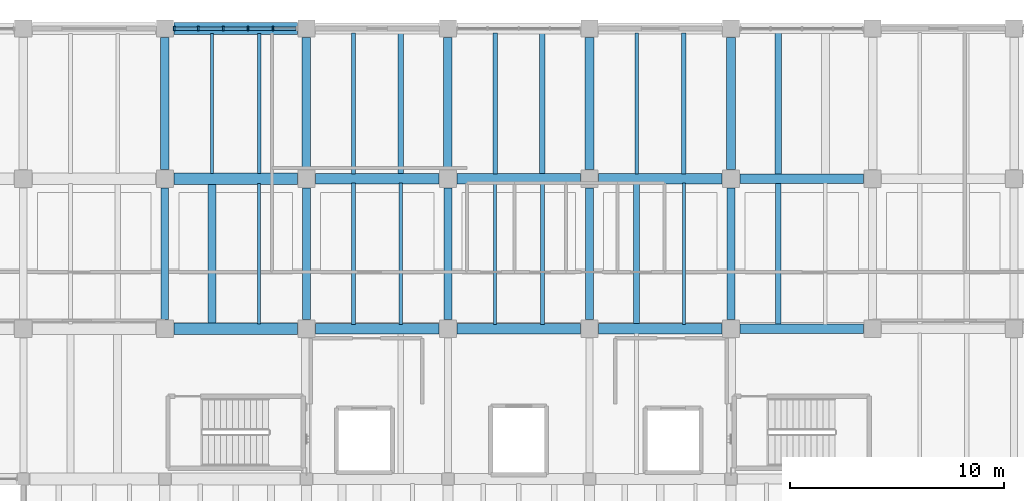
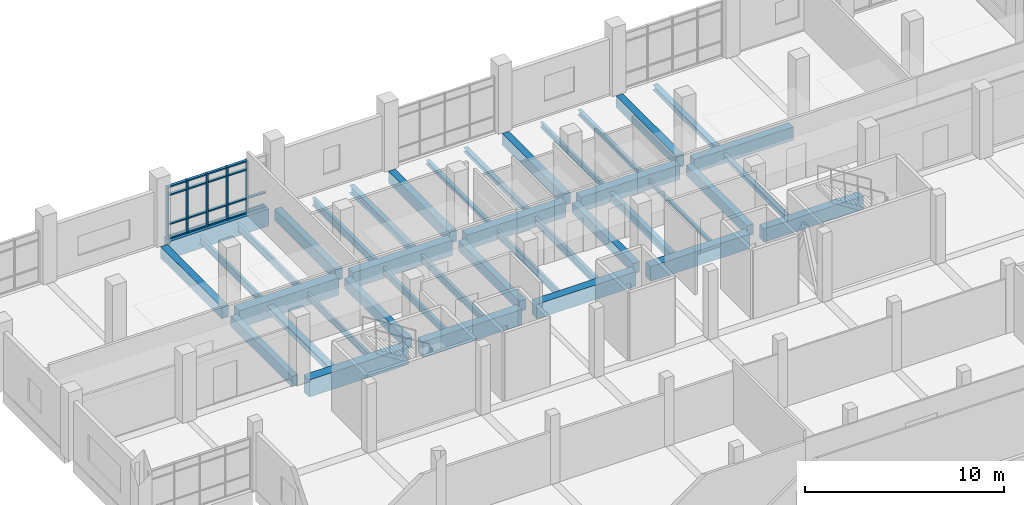
# One storey, part 32 of 67: 39 beams, 23 members, 1 element without a shape of its own.
"""IFC4 building model written with IfcOpenShell, lengths in metres."""

from ifc_helpers import new_model, si_unit, direction, frame, origin, origin_2d, place, context, subcontext, project, spatial, rectangle, i_section, extrude, material, material_profile, profile_set, type_object, element, aggregate, save


model = new_model("IFC4")

# Units and contexts
model_context = context("Model", 3, precision=1e-05, world=origin(), true_north=direction((0.0, 1.0)))
body_context = subcontext(model_context, "Body", "Model", "MODEL_VIEW")
ifc_project = project(units=[si_unit("LENGTHUNIT", "METRE"), si_unit("AREAUNIT", "SQUARE_METRE"), si_unit("VOLUMEUNIT", "CUBIC_METRE"), si_unit("PLANEANGLEUNIT", "RADIAN"), si_unit("MASSUNIT", "GRAM", prefix="KILO")], contexts=[model_context])

# Site, building, storey
site_placement = place(None, origin())
site = spatial("IfcSite", under=ifc_project, at=site_placement, CompositionType="ELEMENT")
building_placement = place(site_placement, origin())
building = spatial("IfcBuilding", under=site, at=building_placement, Name="Ciguamira Faculty of Natural Sciences", CompositionType="ELEMENT")
storey_placement = place(building_placement, frame((0.0, 0.0, 8.39990234375)))
storey = spatial("IfcBuildingStorey", under=building, at=storey_placement, Name="L02", CompositionType="ELEMENT", Elevation=8.39990234375)

# Curtain wall, members
ifc_material_1 = material(Name="Anodized aluminium curtain wall", Category="aluminium")
curtain_wall_type = type_object("IfcCurtainWallType", Name="CurtainWall_CW-12", PredefinedType="USERDEFINED", material=ifc_material_1)
curtain_wall_placement = place(storey_placement, origin())
curtain_wall = element("IfcCurtainWall", 1, at=curtain_wall_placement, inside=storey, type_object=curtain_wall_type, Name="L02 unitised curtain wall 0072", ObjectType="UNITISED CURTAIN WALL", PredefinedType="USERDEFINED")
ifc_material_2 = material(Name="Anodized aluminium mullion", Category="aluminium")
ifc_material_profile_1 = material_profile(ifc_material_2, rectangle(XDim=0.080078125, YDim=0.219970703125, at=origin_2d()), Name="ALU-MUL-80X220")
ifc_profile_set_1 = profile_set([ifc_material_profile_1], Name="Anodized aluminium mullion")
member_type_1 = type_object("IfcMemberType", Name="CWMullion_CWM-03", PredefinedType="MULLION", material=ifc_profile_set_1)
member_1_placement = place(storey_placement, frame((70.93994140625, 115.0, 0.0), z_axis=(0.0, 0.0, 1.0), x_axis=(1.0, 0.0, 0.0)))
member_1 = element("IfcMember", 2, at=member_1_placement, type_object=member_type_1, Name="CW-12 mullion 1", PredefinedType="MULLION", context=body_context, shape_type="SweptSolid", body=[
    extrude(rectangle(XDim=0.080078125, YDim=0.219970703125, at=origin_2d()), origin(), (0.0, 0.0, 1.0), 3.235107421875),
])
member_2_placement = place(storey_placement, frame((72.06005859375, 115.0, 0.0), z_axis=(0.0, 0.0, 1.0), x_axis=(1.0, 0.0, 0.0)))
member_2 = element("IfcMember", 3, at=member_2_placement, type_object=member_type_1, Name="CW-12 mullion 2", PredefinedType="MULLION", context=body_context, shape_type="SweptSolid", body=[
    extrude(rectangle(XDim=0.080078125, YDim=0.219970703125, at=origin_2d()), origin(), (0.0, 0.0, 1.0), 3.235107421875),
])
member_3_placement = place(storey_placement, frame((73.219970703125, 115.0, 0.0), z_axis=(0.0, 0.0, 1.0), x_axis=(1.0, 0.0, 0.0)))
member_3 = element("IfcMember", 4, at=member_3_placement, type_object=member_type_1, Name="CW-12 mullion 3", PredefinedType="MULLION", context=body_context, shape_type="SweptSolid", body=[
    extrude(rectangle(XDim=0.080078125, YDim=0.219970703125, at=origin_2d()), origin(), (0.0, 0.0, 1.0), 3.235107421875),
])
member_4_placement = place(storey_placement, frame((74.3798828125, 115.0, 0.0), z_axis=(0.0, 0.0, 1.0), x_axis=(1.0, 0.0, 0.0)))
member_4 = element("IfcMember", 5, at=member_4_placement, type_object=member_type_1, Name="CW-12 mullion 4", PredefinedType="MULLION", context=body_context, shape_type="SweptSolid", body=[
    extrude(rectangle(XDim=0.080078125, YDim=0.219970703125, at=origin_2d()), origin(), (0.0, 0.0, 1.0), 3.235107421875),
])
member_5_placement = place(storey_placement, frame((75.5400390625, 115.0, 0.0), z_axis=(0.0, 0.0, 1.0), x_axis=(1.0, 0.0, 0.0)))
member_5 = element("IfcMember", 6, at=member_5_placement, type_object=member_type_1, Name="CW-12 mullion 5", PredefinedType="MULLION", context=body_context, shape_type="SweptSolid", body=[
    extrude(rectangle(XDim=0.080078125, YDim=0.219970703125, at=origin_2d()), origin(), (0.0, 0.0, 1.0), 3.235107421875),
])
ifc_material_3 = material(Name="Anodized aluminium transom", Category="aluminium")
ifc_material_profile_2 = material_profile(ifc_material_3, rectangle(XDim=0.080078125, YDim=0.159912109375, at=origin_2d()), Name="ALU-TRN-80X160")
ifc_profile_set_2 = profile_set([ifc_material_profile_2], Name="Anodized aluminium transom")
member_type_2 = type_object("IfcMemberType", Name="CWTransom_CWT-03", PredefinedType="USERDEFINED", material=ifc_profile_set_2)
member_6_placement = place(storey_placement, frame((70.97998046875, 115.0, 0.0400390625), z_axis=(1.0, 0.0, 0.0), x_axis=(0.0, 0.0, 1.0)))
member_6 = element("IfcMember", 7, at=member_6_placement, type_object=member_type_2, Name="CW-12 transom 1.1", ObjectType="TRANSOM", PredefinedType="USERDEFINED", context=body_context, shape_type="SweptSolid", body=[
    extrude(rectangle(XDim=0.080078125, YDim=0.159912109375, at=origin_2d()), origin(), (0.0, 0.0, 1.0), 1.0400390625),
])
member_7_placement = place(storey_placement, frame((70.97998046875, 115.0, 0.900146484375), z_axis=(1.0, 0.0, 0.0), x_axis=(0.0, 0.0, 1.0)))
member_7 = element("IfcMember", 8, at=member_7_placement, type_object=member_type_2, Name="CW-12 transom 1.2", ObjectType="TRANSOM", PredefinedType="USERDEFINED", context=body_context, shape_type="SweptSolid", body=[
    extrude(rectangle(XDim=0.080078125, YDim=0.159912109375, at=origin_2d()), origin(), (0.0, 0.0, 1.0), 1.0400390625),
])
member_8_placement = place(storey_placement, frame((70.97998046875, 115.0, 2.68505859375), z_axis=(1.0, 0.0, 0.0), x_axis=(0.0, 0.0, 1.0)))
member_8 = element("IfcMember", 9, at=member_8_placement, type_object=member_type_2, Name="CW-12 transom 1.3", ObjectType="TRANSOM", PredefinedType="USERDEFINED", context=body_context, shape_type="SweptSolid", body=[
    extrude(rectangle(XDim=0.080078125, YDim=0.159912109375, at=origin_2d()), origin(), (0.0, 0.0, 1.0), 1.0400390625),
])
member_9_placement = place(storey_placement, frame((70.97998046875, 115.0, 3.195068359375), z_axis=(1.0, 0.0, 0.0), x_axis=(0.0, 0.0, 1.0)))
member_9 = element("IfcMember", 10, at=member_9_placement, type_object=member_type_2, Name="CW-12 transom 1.4", ObjectType="TRANSOM", PredefinedType="USERDEFINED", context=body_context, shape_type="SweptSolid", body=[
    extrude(rectangle(XDim=0.080078125, YDim=0.159912109375, at=origin_2d()), origin(), (0.0, 0.0, 1.0), 1.0400390625),
])
member_10_placement = place(storey_placement, frame((72.10009765625, 115.0, 0.0400390625), z_axis=(1.0, 0.0, 0.0), x_axis=(0.0, 0.0, 1.0)))
member_10 = element("IfcMember", 11, at=member_10_placement, type_object=member_type_2, Name="CW-12 transom 2.1", ObjectType="TRANSOM", PredefinedType="USERDEFINED", context=body_context, shape_type="SweptSolid", body=[
    extrude(rectangle(XDim=0.080078125, YDim=0.159912109375, at=origin_2d()), origin(), (0.0, 0.0, 1.0), 1.079833984375),
])
member_11_placement = place(storey_placement, frame((72.10009765625, 115.0, 0.900146484375), z_axis=(1.0, 0.0, 0.0), x_axis=(0.0, 0.0, 1.0)))
member_11 = element("IfcMember", 12, at=member_11_placement, type_object=member_type_2, Name="CW-12 transom 2.2", ObjectType="TRANSOM", PredefinedType="USERDEFINED", context=body_context, shape_type="SweptSolid", body=[
    extrude(rectangle(XDim=0.080078125, YDim=0.159912109375, at=origin_2d()), origin(), (0.0, 0.0, 1.0), 1.079833984375),
])
member_12_placement = place(storey_placement, frame((72.10009765625, 115.0, 2.68505859375), z_axis=(1.0, 0.0, 0.0), x_axis=(0.0, 0.0, 1.0)))
member_12 = element("IfcMember", 13, at=member_12_placement, type_object=member_type_2, Name="CW-12 transom 2.3", ObjectType="TRANSOM", PredefinedType="USERDEFINED", context=body_context, shape_type="SweptSolid", body=[
    extrude(rectangle(XDim=0.080078125, YDim=0.159912109375, at=origin_2d()), origin(), (0.0, 0.0, 1.0), 1.079833984375),
])
member_13_placement = place(storey_placement, frame((72.10009765625, 115.0, 3.195068359375), z_axis=(1.0, 0.0, 0.0), x_axis=(0.0, 0.0, 1.0)))
member_13 = element("IfcMember", 14, at=member_13_placement, type_object=member_type_2, Name="CW-12 transom 2.4", ObjectType="TRANSOM", PredefinedType="USERDEFINED", context=body_context, shape_type="SweptSolid", body=[
    extrude(rectangle(XDim=0.080078125, YDim=0.159912109375, at=origin_2d()), origin(), (0.0, 0.0, 1.0), 1.079833984375),
])
member_14_placement = place(storey_placement, frame((73.260009765625, 115.0, 0.0400390625), z_axis=(1.0, 0.0, 0.0), x_axis=(0.0, 0.0, 1.0)))
member_14 = element("IfcMember", 15, at=member_14_placement, type_object=member_type_2, Name="CW-12 transom 3.1", ObjectType="TRANSOM", PredefinedType="USERDEFINED", context=body_context, shape_type="SweptSolid", body=[
    extrude(rectangle(XDim=0.080078125, YDim=0.159912109375, at=origin_2d()), origin(), (0.0, 0.0, 1.0), 1.080078125),
])
member_15_placement = place(storey_placement, frame((73.260009765625, 115.0, 0.900146484375), z_axis=(1.0, 0.0, 0.0), x_axis=(0.0, 0.0, 1.0)))
member_15 = element("IfcMember", 16, at=member_15_placement, type_object=member_type_2, Name="CW-12 transom 3.2", ObjectType="TRANSOM", PredefinedType="USERDEFINED", context=body_context, shape_type="SweptSolid", body=[
    extrude(rectangle(XDim=0.080078125, YDim=0.159912109375, at=origin_2d()), origin(), (0.0, 0.0, 1.0), 1.080078125),
])
member_16_placement = place(storey_placement, frame((73.260009765625, 115.0, 2.68505859375), z_axis=(1.0, 0.0, 0.0), x_axis=(0.0, 0.0, 1.0)))
member_16 = element("IfcMember", 17, at=member_16_placement, type_object=member_type_2, Name="CW-12 transom 3.3", ObjectType="TRANSOM", PredefinedType="USERDEFINED", context=body_context, shape_type="SweptSolid", body=[
    extrude(rectangle(XDim=0.080078125, YDim=0.159912109375, at=origin_2d()), origin(), (0.0, 0.0, 1.0), 1.080078125),
])
member_17_placement = place(storey_placement, frame((73.260009765625, 115.0, 3.195068359375), z_axis=(1.0, 0.0, 0.0), x_axis=(0.0, 0.0, 1.0)))
member_17 = element("IfcMember", 18, at=member_17_placement, type_object=member_type_2, Name="CW-12 transom 3.4", ObjectType="TRANSOM", PredefinedType="USERDEFINED", context=body_context, shape_type="SweptSolid", body=[
    extrude(rectangle(XDim=0.080078125, YDim=0.159912109375, at=origin_2d()), origin(), (0.0, 0.0, 1.0), 1.080078125),
])
member_18_placement = place(storey_placement, frame((74.419921875, 115.0, 0.0400390625), z_axis=(1.0, 0.0, 0.0), x_axis=(0.0, 0.0, 1.0)))
member_18 = element("IfcMember", 19, at=member_18_placement, type_object=member_type_2, Name="CW-12 transom 4.1", ObjectType="TRANSOM", PredefinedType="USERDEFINED", context=body_context, shape_type="SweptSolid", body=[
    extrude(rectangle(XDim=0.080078125, YDim=0.159912109375, at=origin_2d()), origin(), (0.0, 0.0, 1.0), 1.080078125),
])
member_19_placement = place(storey_placement, frame((74.419921875, 115.0, 0.900146484375), z_axis=(1.0, 0.0, 0.0), x_axis=(0.0, 0.0, 1.0)))
member_19 = element("IfcMember", 20, at=member_19_placement, type_object=member_type_2, Name="CW-12 transom 4.2", ObjectType="TRANSOM", PredefinedType="USERDEFINED", context=body_context, shape_type="SweptSolid", body=[
    extrude(rectangle(XDim=0.080078125, YDim=0.159912109375, at=origin_2d()), origin(), (0.0, 0.0, 1.0), 1.080078125),
])
member_20_placement = place(storey_placement, frame((74.419921875, 115.0, 2.68505859375), z_axis=(1.0, 0.0, 0.0), x_axis=(0.0, 0.0, 1.0)))
member_20 = element("IfcMember", 21, at=member_20_placement, type_object=member_type_2, Name="CW-12 transom 4.3", ObjectType="TRANSOM", PredefinedType="USERDEFINED", context=body_context, shape_type="SweptSolid", body=[
    extrude(rectangle(XDim=0.080078125, YDim=0.159912109375, at=origin_2d()), origin(), (0.0, 0.0, 1.0), 1.080078125),
])
member_21_placement = place(storey_placement, frame((74.419921875, 115.0, 3.195068359375), z_axis=(1.0, 0.0, 0.0), x_axis=(0.0, 0.0, 1.0)))
member_21 = element("IfcMember", 22, at=member_21_placement, type_object=member_type_2, Name="CW-12 transom 4.4", ObjectType="TRANSOM", PredefinedType="USERDEFINED", context=body_context, shape_type="SweptSolid", body=[
    extrude(rectangle(XDim=0.080078125, YDim=0.159912109375, at=origin_2d()), origin(), (0.0, 0.0, 1.0), 1.080078125),
])
member_22_placement = place(storey_placement, frame((75.580078125, 115.0, 0.0400390625), z_axis=(1.0, 0.0, 0.0), x_axis=(0.0, 0.0, 1.0)))
member_22 = element("IfcMember", 23, at=member_22_placement, type_object=member_type_2, Name="CW-12 transom 5.1", ObjectType="TRANSOM", PredefinedType="USERDEFINED", context=body_context, shape_type="SweptSolid", body=[
    extrude(rectangle(XDim=0.080078125, YDim=0.159912109375, at=origin_2d()), origin(), (0.0, 0.0, 1.0), 1.0400390625),
])
member_23_placement = place(storey_placement, frame((75.580078125, 115.0, 0.900146484375), z_axis=(1.0, 0.0, 0.0), x_axis=(0.0, 0.0, 1.0)))
member_23 = element("IfcMember", 24, at=member_23_placement, type_object=member_type_2, Name="CW-12 transom 5.2", ObjectType="TRANSOM", PredefinedType="USERDEFINED", context=body_context, shape_type="SweptSolid", body=[
    extrude(rectangle(XDim=0.080078125, YDim=0.159912109375, at=origin_2d()), origin(), (0.0, 0.0, 1.0), 1.0400390625),
])
aggregate(curtain_wall, [member_1, member_2, member_3, member_4, member_5, member_6, member_7, member_8, member_9, member_10, member_11, member_12, member_13, member_14, member_15, member_16, member_17, member_18, member_19, member_20, member_21, member_22, member_23])

# Beams
ifc_material_4 = material(Name="Concrete C40/50", Category="concrete")
ifc_material_profile_3 = material_profile(ifc_material_4, rectangle(XDim=0.550048828125, YDim=1.050048828125, at=origin_2d()), Name="RC-BM-550X1050")
ifc_profile_set_3 = profile_set([ifc_material_profile_3], Name="Concrete C40/50")
beam_type_1 = type_object("IfcBeamType", Name="RCBeam_BG-01_RC-BM-550X1050", PredefinedType="BEAM", material=ifc_profile_set_3)
for number, where, z_axis, x_axis, name in (
    (25, (70.925048828125, 101.0, -0.52490234375), (1.0, 0.0, 0.0), (0.0, 1.0, 0.0), "L02 RC girder EW-0850"),
    (26, (70.925048828125, 108.0, -0.52490234375), (1.0, 0.0, 0.0), (0.0, 1.0, 0.0), "L02 RC girder EW-0859"),
    (27, (70.925048828125, 115.0, -0.52490234375), (1.0, 0.0, 0.0), (0.0, 1.0, 0.0), "L02 RC girder EW-0868"),
):
    element("IfcBeam", number, at=place(storey_placement, frame(where, z_axis=z_axis, x_axis=x_axis)), inside=storey, type_object=beam_type_1, Name=name, PredefinedType="BEAM", context=body_context, shape_type="SweptSolid", body=[
        extrude(rectangle(XDim=0.550048828125, YDim=1.050048828125, at=origin_2d()), origin(), (0.0, 0.0, 1.0), 5.75),
    ])
ifc_material_profile_4 = material_profile(ifc_material_4, rectangle(XDim=0.5, YDim=0.949951171875, at=origin_2d()), Name="RC-BM-500X950")
ifc_profile_set_4 = profile_set([ifc_material_profile_4], Name="Concrete C40/50")
beam_type_2 = type_object("IfcBeamType", Name="RCBeam_BG-02_RC-BM-500X950", PredefinedType="BEAM", material=ifc_profile_set_4)
for number, where, z_axis, x_axis, name in (
    (28, (77.52490234375, 101.0, -0.474853515625), (1.0, 0.0, 0.0), (0.0, 1.0, 0.0), "L02 RC girder EW-0851"),
    (29, (77.52490234375, 108.0, -0.474853515625), (1.0, 0.0, 0.0), (0.0, 1.0, 0.0), "L02 RC girder EW-0860"),
):
    element("IfcBeam", number, at=place(storey_placement, frame(where, z_axis=z_axis, x_axis=x_axis)), inside=storey, type_object=beam_type_2, Name=name, PredefinedType="BEAM", context=body_context, shape_type="SweptSolid", body=[
        extrude(rectangle(XDim=0.5, YDim=0.949951171875, at=origin_2d()), origin(), (0.0, 0.0, 1.0), 5.75),
    ])
ifc_material_profile_5 = material_profile(ifc_material_4, rectangle(XDim=0.5, YDim=0.89990234375, at=origin_2d()), Name="RC-BM-500X900")
ifc_profile_set_5 = profile_set([ifc_material_profile_5], Name="Concrete C40/50")
beam_type_3 = type_object("IfcBeamType", Name="RCBeam_BG-03_RC-BM-500X900", PredefinedType="BEAM", material=ifc_profile_set_5)
for number, where, z_axis, x_axis, name in (
    (30, (84.125, 101.0, -0.449951171875), (1.0, 0.0, 0.0), (0.0, 1.0, 0.0), "L02 RC girder EW-0852"),
    (31, (90.72509765625, 101.0, -0.449951171875), (1.0, 0.0, 0.0), (0.0, 1.0, 0.0), "L02 RC girder EW-0853"),
    (32, (84.125, 108.0, -0.449951171875), (1.0, 0.0, 0.0), (0.0, 1.0, 0.0), "L02 RC girder EW-0861"),
    (33, (90.72509765625, 108.0, -0.449951171875), (1.0, 0.0, 0.0), (0.0, 1.0, 0.0), "L02 RC girder EW-0862"),
):
    element("IfcBeam", number, at=place(storey_placement, frame(where, z_axis=z_axis, x_axis=x_axis)), inside=storey, type_object=beam_type_3, Name=name, PredefinedType="BEAM", context=body_context, shape_type="SweptSolid", body=[
        extrude(rectangle(XDim=0.5, YDim=0.89990234375, at=origin_2d()), origin(), (0.0, 0.0, 1.0), 5.75),
    ])
ifc_material_profile_6 = material_profile(ifc_material_4, rectangle(XDim=0.4599609375, YDim=0.820068359375, at=origin_2d()), Name="RC-BM-460X820")
ifc_profile_set_6 = profile_set([ifc_material_profile_6], Name="Concrete C40/50")
beam_type_4 = type_object("IfcBeamType", Name="RCBeam_BG-04_RC-BM-460X820", PredefinedType="BEAM", material=ifc_profile_set_6)
for number, where, z_axis, x_axis, name in (
    (34, (97.324951171875, 101.0, -0.409912109375), (1.0, 0.0, 0.0), (0.0, 1.0, 0.0), "L02 RC girder EW-0854"),
    (35, (97.324951171875, 108.0, -0.409912109375), (1.0, 0.0, 0.0), (0.0, 1.0, 0.0), "L02 RC girder EW-0863"),
):
    element("IfcBeam", number, at=place(storey_placement, frame(where, z_axis=z_axis, x_axis=x_axis)), inside=storey, type_object=beam_type_4, Name=name, PredefinedType="BEAM", context=body_context, shape_type="SweptSolid", body=[
        extrude(rectangle(XDim=0.4599609375, YDim=0.820068359375, at=origin_2d()), origin(), (0.0, 0.0, 1.0), 5.75),
    ])
ifc_material_profile_7 = material_profile(ifc_material_4, rectangle(XDim=0.39990234375, YDim=0.699951171875, at=origin_2d()), Name="RC-BM-400X700")
ifc_profile_set_7 = profile_set([ifc_material_profile_7], Name="Concrete C40/50")
beam_type_5 = type_object("IfcBeamType", Name="RCBeam_BG-08_RC-BM-400X700", PredefinedType="BEAM", material=ifc_profile_set_7)
for number, where, z_axis, x_axis, name in (
    (36, (70.5, 108.425048828125, -0.349853515625), (0.0, 1.0, 0.0), (-1.0, 0.0, 0.0), "L02 girder NS-0932"),
    (37, (77.10009765625, 108.425048828125, -0.349853515625), (0.0, 1.0, 0.0), (-1.0, 0.0, 0.0), "L02 girder NS-0942"),
    (38, (83.699951171875, 108.425048828125, -0.349853515625), (0.0, 1.0, 0.0), (-1.0, 0.0, 0.0), "L02 girder NS-0953"),
    (39, (90.300048828125, 108.425048828125, -0.349853515625), (0.0, 1.0, 0.0), (-1.0, 0.0, 0.0), "L02 girder NS-0964"),
    (40, (96.89990234375, 108.425048828125, -0.349853515625), (0.0, 1.0, 0.0), (-1.0, 0.0, 0.0), "L02 girder NS-0974"),
):
    element("IfcBeam", number, at=place(storey_placement, frame(where, z_axis=z_axis, x_axis=x_axis)), inside=storey, type_object=beam_type_5, Name=name, PredefinedType="BEAM", context=body_context, shape_type="SweptSolid", body=[
        extrude(rectangle(XDim=0.39990234375, YDim=0.699951171875, at=origin_2d()), origin(), (0.0, 0.0, 1.0), 6.14990234375),
    ])
ifc_material_profile_8 = material_profile(ifc_material_4, rectangle(XDim=0.360107421875, YDim=0.639892578125, at=origin_2d()), Name="RC-BM-360X640")
ifc_profile_set_8 = profile_set([ifc_material_profile_8], Name="Concrete C40/50")
beam_type_6 = type_object("IfcBeamType", Name="RCBeam_BG-10_RC-BM-360X640", PredefinedType="BEAM", material=ifc_profile_set_8)
for number, where, z_axis, x_axis, name in (
    (41, (70.5, 101.425048828125, -0.31982421875), (0.0, 1.0, 0.0), (-1.0, 0.0, 0.0), "L02 girder NS-0931"),
    (42, (77.10009765625, 101.425048828125, -0.31982421875), (0.0, 1.0, 0.0), (-1.0, 0.0, 0.0), "L02 girder NS-0941"),
    (43, (83.699951171875, 101.425048828125, -0.31982421875), (0.0, 1.0, 0.0), (-1.0, 0.0, 0.0), "L02 girder NS-0952"),
    (44, (90.300048828125, 101.425048828125, -0.31982421875), (0.0, 1.0, 0.0), (-1.0, 0.0, 0.0), "L02 girder NS-0963"),
    (45, (96.89990234375, 101.425048828125, -0.31982421875), (0.0, 1.0, 0.0), (-1.0, 0.0, 0.0), "L02 girder NS-0973"),
):
    element("IfcBeam", number, at=place(storey_placement, frame(where, z_axis=z_axis, x_axis=x_axis)), inside=storey, type_object=beam_type_6, Name=name, PredefinedType="BEAM", context=body_context, shape_type="SweptSolid", body=[
        extrude(rectangle(XDim=0.360107421875, YDim=0.639892578125, at=origin_2d()), origin(), (0.0, 0.0, 1.0), 6.14990234375),
    ])
ifc_material_5 = material(Name="Steel ASTM A992 Grade 50", Category="steel")
ifc_material_profile_9 = material_profile(ifc_material_5, i_section(OverallWidth=0.14599609375, OverallDepth=0.259033203125, WebThickness=0.006103515625, FlangeThickness=0.009033203125, at=origin_2d()), Name="W10X22")
ifc_profile_set_9 = profile_set([ifc_material_profile_9], Name="Steel ASTM A992 Grade 50")
beam_type_7 = type_object("IfcBeamType", Name="SteelJoist_SJ-01_W10X22", PredefinedType="JOIST", material=ifc_profile_set_9)
beam_1_placement = place(storey_placement, frame((94.699951171875, 101.2099609375, -0.369384765625), z_axis=(0.0, 1.0, 0.0), x_axis=(-1.0, 0.0, 0.0)))
element("IfcBeam", 46, at=beam_1_placement, inside=storey, type_object=beam_type_7, Name="L02 composite steel joist 00864", PredefinedType="JOIST", context=body_context, shape_type="SweptSolid", body=[
    extrude(i_section(OverallWidth=0.14599609375, OverallDepth=0.259033203125, WebThickness=0.006103515625, FlangeThickness=0.009033203125, at=origin_2d()), origin(), (0.0, 0.0, 1.0), 6.580078125),
])
ifc_material_profile_10 = material_profile(ifc_material_5, i_section(OverallWidth=0.2021484375, OverallDepth=0.2470703125, WebThickness=0.00732421875, FlangeThickness=0.010986328125, at=origin_2d()), Name="W10X33")
ifc_profile_set_10 = profile_set([ifc_material_profile_10], Name="Steel ASTM A992 Grade 50")
beam_type_8 = type_object("IfcBeamType", Name="SteelJoist_SJ-02_W10X33", PredefinedType="JOIST", material=ifc_profile_set_10)
beam_2_placement = place(storey_placement, frame((85.89990234375, 108.2099609375, -0.363525390625), z_axis=(0.0, 1.0, 0.0), x_axis=(-1.0, 0.0, 0.0)))
element("IfcBeam", 47, at=beam_2_placement, inside=storey, type_object=beam_type_8, Name="L02 composite steel joist 00839", PredefinedType="JOIST", context=body_context, shape_type="SweptSolid", body=[
    extrude(i_section(OverallWidth=0.2021484375, OverallDepth=0.2470703125, WebThickness=0.00732421875, FlangeThickness=0.010986328125, at=origin_2d()), origin(), (0.0, 0.0, 1.0), 6.580078125),
])
ifc_material_profile_11 = material_profile(ifc_material_5, i_section(OverallWidth=0.25390625, OverallDepth=0.25390625, WebThickness=0.008544921875, FlangeThickness=0.01416015625, at=origin_2d()), Name="W10X49")
ifc_profile_set_11 = profile_set([ifc_material_profile_11], Name="Steel ASTM A992 Grade 50")
beam_type_9 = type_object("IfcBeamType", Name="SteelJoist_SJ-03_W10X49", PredefinedType="JOIST", material=ifc_profile_set_11)
beam_3_placement = place(storey_placement, frame((88.10009765625, 108.2099609375, -0.366943359375), z_axis=(0.0, 1.0, 0.0), x_axis=(-1.0, 0.0, 0.0)))
element("IfcBeam", 48, at=beam_3_placement, inside=storey, type_object=beam_type_9, Name="L02 composite steel joist 00840", PredefinedType="JOIST", context=body_context, shape_type="SweptSolid", body=[
    extrude(i_section(OverallWidth=0.25390625, OverallDepth=0.25390625, WebThickness=0.008544921875, FlangeThickness=0.01416015625, at=origin_2d()), origin(), (0.0, 0.0, 1.0), 6.580078125),
])
beam_4_placement = place(storey_placement, frame((99.10009765625, 101.18994140625, -0.366943359375), z_axis=(0.0, 1.0, 0.0), x_axis=(-1.0, 0.0, 0.0)))
element("IfcBeam", 49, at=beam_4_placement, inside=storey, type_object=beam_type_9, Name="L02 composite steel joist 00888", PredefinedType="JOIST", context=body_context, shape_type="SweptSolid", body=[
    extrude(i_section(OverallWidth=0.25390625, OverallDepth=0.25390625, WebThickness=0.008544921875, FlangeThickness=0.01416015625, at=origin_2d()), origin(), (0.0, 0.0, 1.0), 6.6201171875),
])
ifc_material_profile_12 = material_profile(ifc_material_5, i_section(OverallWidth=0.16650390625, OverallDepth=0.3173828125, WebThickness=0.007568359375, FlangeThickness=0.01318359375, at=origin_2d()), Name="W12X35")
ifc_profile_set_12 = profile_set([ifc_material_profile_12], Name="Steel ASTM A992 Grade 50")
beam_type_10 = type_object("IfcBeamType", Name="SteelJoist_SJ-05_W12X35", PredefinedType="JOIST", material=ifc_profile_set_12)
beam_5_placement = place(storey_placement, frame((92.5, 108.2099609375, -0.398681640625), z_axis=(0.0, 1.0, 0.0), x_axis=(-1.0, 0.0, 0.0)))
element("IfcBeam", 50, at=beam_5_placement, inside=storey, type_object=beam_type_10, Name="L02 composite steel joist 00865", PredefinedType="JOIST", context=body_context, shape_type="SweptSolid", body=[
    extrude(i_section(OverallWidth=0.16650390625, OverallDepth=0.3173828125, WebThickness=0.007568359375, FlangeThickness=0.01318359375, at=origin_2d()), origin(), (0.0, 0.0, 1.0), 6.580078125),
])
ifc_material_profile_13 = material_profile(ifc_material_5, i_section(OverallWidth=0.20458984375, OverallDepth=0.307373046875, WebThickness=0.008544921875, FlangeThickness=0.0146484375, at=origin_2d()), Name="W12X45")
ifc_profile_set_13 = profile_set([ifc_material_profile_13], Name="Steel ASTM A992 Grade 50")
beam_type_11 = type_object("IfcBeamType", Name="SteelJoist_SJ-06_W12X45", PredefinedType="JOIST", material=ifc_profile_set_13)
beam_6_placement = place(storey_placement, frame((94.699951171875, 108.2099609375, -0.3935546875), z_axis=(0.0, 1.0, 0.0), x_axis=(-1.0, 0.0, 0.0)))
element("IfcBeam", 51, at=beam_6_placement, inside=storey, type_object=beam_type_11, Name="L02 composite steel joist 00866", PredefinedType="JOIST", context=body_context, shape_type="SweptSolid", body=[
    extrude(i_section(OverallWidth=0.20458984375, OverallDepth=0.307373046875, WebThickness=0.008544921875, FlangeThickness=0.0146484375, at=origin_2d()), origin(), (0.0, 0.0, 1.0), 6.580078125),
])
ifc_material_profile_14 = material_profile(ifc_material_5, i_section(OverallWidth=0.3046875, OverallDepth=0.307373046875, WebThickness=0.010009765625, FlangeThickness=0.015380859375, at=origin_2d()), Name="W12X65")
ifc_profile_set_14 = profile_set([ifc_material_profile_14], Name="Steel ASTM A992 Grade 50")
beam_type_12 = type_object("IfcBeamType", Name="SteelJoist_SJ-08_W12X65", PredefinedType="JOIST", material=ifc_profile_set_14)
beam_7_placement = place(storey_placement, frame((99.10009765625, 108.18994140625, -0.3935546875), z_axis=(0.0, 1.0, 0.0), x_axis=(-1.0, 0.0, 0.0)))
element("IfcBeam", 52, at=beam_7_placement, inside=storey, type_object=beam_type_12, Name="L02 composite steel joist 00890", PredefinedType="JOIST", context=body_context, shape_type="SweptSolid", body=[
    extrude(i_section(OverallWidth=0.3046875, OverallDepth=0.307373046875, WebThickness=0.010009765625, FlangeThickness=0.015380859375, at=origin_2d()), origin(), (0.0, 0.0, 1.0), 6.6201171875),
])
ifc_material_profile_15 = material_profile(ifc_material_5, i_section(OverallWidth=0.368408203125, OverallDepth=0.355712890625, WebThickness=0.01123046875, FlangeThickness=0.01806640625, at=origin_2d()), Name="W14X90")
ifc_profile_set_15 = profile_set([ifc_material_profile_15], Name="Steel ASTM A992 Grade 50")
beam_type_13 = type_object("IfcBeamType", Name="SteelJoist_SJ-16_W14X90", PredefinedType="JOIST", material=ifc_profile_set_15)
beam_8_placement = place(storey_placement, frame((72.699951171875, 101.235107421875, -0.417724609375), z_axis=(0.0, 1.0, 0.0), x_axis=(-1.0, 0.0, 0.0)))
element("IfcBeam", 53, at=beam_8_placement, inside=storey, type_object=beam_type_13, Name="L02 composite steel joist 00786", PredefinedType="JOIST", context=body_context, shape_type="SweptSolid", body=[
    extrude(i_section(OverallWidth=0.368408203125, OverallDepth=0.355712890625, WebThickness=0.01123046875, FlangeThickness=0.01806640625, at=origin_2d()), origin(), (0.0, 0.0, 1.0), 6.52978515625),
])
ifc_material_profile_16 = material_profile(ifc_material_5, i_section(OverallWidth=0.140380859375, OverallDepth=0.40380859375, WebThickness=0.007080078125, FlangeThickness=0.01123046875, at=origin_2d()), Name="W16X31")
ifc_profile_set_16 = profile_set([ifc_material_profile_16], Name="Steel ASTM A992 Grade 50")
beam_type_14 = type_object("IfcBeamType", Name="SteelJoist_SJ-17_W16X31", PredefinedType="JOIST", material=ifc_profile_set_16)
beam_9_placement = place(storey_placement, frame((74.89990234375, 101.235107421875, -0.44189453125), z_axis=(0.0, 1.0, 0.0), x_axis=(-1.0, 0.0, 0.0)))
element("IfcBeam", 54, at=beam_9_placement, inside=storey, type_object=beam_type_14, Name="L02 composite steel joist 00787", PredefinedType="JOIST", context=body_context, shape_type="SweptSolid", body=[
    extrude(i_section(OverallWidth=0.140380859375, OverallDepth=0.40380859375, WebThickness=0.007080078125, FlangeThickness=0.01123046875, at=origin_2d()), origin(), (0.0, 0.0, 1.0), 6.52978515625),
])
ifc_material_profile_17 = material_profile(ifc_material_5, i_section(OverallWidth=0.1787109375, OverallDepth=0.408935546875, WebThickness=0.0087890625, FlangeThickness=0.014404296875, at=origin_2d()), Name="W16X45")
ifc_profile_set_17 = profile_set([ifc_material_profile_17], Name="Steel ASTM A992 Grade 50")
beam_type_15 = type_object("IfcBeamType", Name="SteelJoist_SJ-19_W16X45", PredefinedType="JOIST", material=ifc_profile_set_17)
beam_10_placement = place(storey_placement, frame((79.300048828125, 101.2099609375, -0.4443359375), z_axis=(0.0, 1.0, 0.0), x_axis=(-1.0, 0.0, 0.0)))
element("IfcBeam", 55, at=beam_10_placement, inside=storey, type_object=beam_type_15, Name="L02 composite steel joist 00812", PredefinedType="JOIST", context=body_context, shape_type="SweptSolid", body=[
    extrude(i_section(OverallWidth=0.1787109375, OverallDepth=0.408935546875, WebThickness=0.0087890625, FlangeThickness=0.014404296875, at=origin_2d()), origin(), (0.0, 0.0, 1.0), 6.580078125),
])
ifc_material_profile_18 = material_profile(ifc_material_5, i_section(OverallWidth=0.180908203125, OverallDepth=0.41650390625, WebThickness=0.010986328125, FlangeThickness=0.01806640625, at=origin_2d()), Name="W16X57")
ifc_profile_set_18 = profile_set([ifc_material_profile_18], Name="Steel ASTM A992 Grade 50")
beam_type_16 = type_object("IfcBeamType", Name="SteelJoist_SJ-20_W16X57", PredefinedType="JOIST", material=ifc_profile_set_18)
beam_11_placement = place(storey_placement, frame((81.5, 101.2099609375, -0.4482421875), z_axis=(0.0, 1.0, 0.0), x_axis=(-1.0, 0.0, 0.0)))
element("IfcBeam", 56, at=beam_11_placement, inside=storey, type_object=beam_type_16, Name="L02 composite steel joist 00813", PredefinedType="JOIST", context=body_context, shape_type="SweptSolid", body=[
    extrude(i_section(OverallWidth=0.180908203125, OverallDepth=0.41650390625, WebThickness=0.010986328125, FlangeThickness=0.01806640625, at=origin_2d()), origin(), (0.0, 0.0, 1.0), 6.580078125),
])
ifc_material_profile_19 = material_profile(ifc_material_5, i_section(OverallWidth=0.15234375, OverallDepth=0.449462890625, WebThickness=0.007568359375, FlangeThickness=0.0107421875, at=origin_2d()), Name="W18X35")
ifc_profile_set_19 = profile_set([ifc_material_profile_19], Name="Steel ASTM A992 Grade 50")
beam_type_17 = type_object("IfcBeamType", Name="SteelJoist_SJ-21_W18X35", PredefinedType="JOIST", material=ifc_profile_set_19)
beam_12_placement = place(storey_placement, frame((72.699951171875, 108.235107421875, -0.464599609375), z_axis=(0.0, 1.0, 0.0), x_axis=(-1.0, 0.0, 0.0)))
element("IfcBeam", 57, at=beam_12_placement, inside=storey, type_object=beam_type_17, Name="L02 composite steel joist 00788", PredefinedType="JOIST", context=body_context, shape_type="SweptSolid", body=[
    extrude(i_section(OverallWidth=0.15234375, OverallDepth=0.449462890625, WebThickness=0.007568359375, FlangeThickness=0.0107421875, at=origin_2d()), origin(), (0.0, 0.0, 1.0), 6.52978515625),
])
ifc_material_profile_20 = material_profile(ifc_material_5, i_section(OverallWidth=0.15283203125, OverallDepth=0.45458984375, WebThickness=0.008056640625, FlangeThickness=0.013427734375, at=origin_2d()), Name="W18X40")
ifc_profile_set_20 = profile_set([ifc_material_profile_20], Name="Steel ASTM A992 Grade 50")
beam_type_18 = type_object("IfcBeamType", Name="SteelJoist_SJ-22_W18X40", PredefinedType="JOIST", material=ifc_profile_set_20)
beam_13_placement = place(storey_placement, frame((74.89990234375, 108.235107421875, -0.46728515625), z_axis=(0.0, 1.0, 0.0), x_axis=(-1.0, 0.0, 0.0)))
element("IfcBeam", 58, at=beam_13_placement, inside=storey, type_object=beam_type_18, Name="L02 composite steel joist 00789", PredefinedType="JOIST", context=body_context, shape_type="SweptSolid", body=[
    extrude(i_section(OverallWidth=0.15283203125, OverallDepth=0.45458984375, WebThickness=0.008056640625, FlangeThickness=0.013427734375, at=origin_2d()), origin(), (0.0, 0.0, 1.0), 6.52978515625),
])
beam_14_placement = place(storey_placement, frame((85.89990234375, 101.2099609375, -0.46728515625), z_axis=(0.0, 1.0, 0.0), x_axis=(-1.0, 0.0, 0.0)))
element("IfcBeam", 59, at=beam_14_placement, inside=storey, type_object=beam_type_18, Name="L02 composite steel joist 00837", PredefinedType="JOIST", context=body_context, shape_type="SweptSolid", body=[
    extrude(i_section(OverallWidth=0.15283203125, OverallDepth=0.45458984375, WebThickness=0.008056640625, FlangeThickness=0.013427734375, at=origin_2d()), origin(), (0.0, 0.0, 1.0), 6.580078125),
])
ifc_material_profile_21 = material_profile(ifc_material_5, i_section(OverallWidth=0.1904296875, OverallDepth=0.457275390625, WebThickness=0.009033203125, FlangeThickness=0.014404296875, at=origin_2d()), Name="W18X50")
ifc_profile_set_21 = profile_set([ifc_material_profile_21], Name="Steel ASTM A992 Grade 50")
beam_type_19 = type_object("IfcBeamType", Name="SteelJoist_SJ-23_W18X50", PredefinedType="JOIST", material=ifc_profile_set_21)
beam_15_placement = place(storey_placement, frame((88.10009765625, 101.2099609375, -0.468505859375), z_axis=(0.0, 1.0, 0.0), x_axis=(-1.0, 0.0, 0.0)))
element("IfcBeam", 60, at=beam_15_placement, inside=storey, type_object=beam_type_19, Name="L02 composite steel joist 00838", PredefinedType="JOIST", context=body_context, shape_type="SweptSolid", body=[
    extrude(i_section(OverallWidth=0.1904296875, OverallDepth=0.457275390625, WebThickness=0.009033203125, FlangeThickness=0.014404296875, at=origin_2d()), origin(), (0.0, 0.0, 1.0), 6.580078125),
])
ifc_material_profile_22 = material_profile(ifc_material_5, i_section(OverallWidth=0.19287109375, OverallDepth=0.46728515625, WebThickness=0.011474609375, FlangeThickness=0.01904296875, at=origin_2d()), Name="W18X65")
ifc_profile_set_22 = profile_set([ifc_material_profile_22], Name="Steel ASTM A992 Grade 50")
beam_type_20 = type_object("IfcBeamType", Name="SteelJoist_SJ-24_W18X65", PredefinedType="JOIST", material=ifc_profile_set_22)
beam_16_placement = place(storey_placement, frame((79.300048828125, 108.2099609375, -0.4736328125), z_axis=(0.0, 1.0, 0.0), x_axis=(-1.0, 0.0, 0.0)))
element("IfcBeam", 61, at=beam_16_placement, inside=storey, type_object=beam_type_20, Name="L02 composite steel joist 00814", PredefinedType="JOIST", context=body_context, shape_type="SweptSolid", body=[
    extrude(i_section(OverallWidth=0.19287109375, OverallDepth=0.46728515625, WebThickness=0.011474609375, FlangeThickness=0.01904296875, at=origin_2d()), origin(), (0.0, 0.0, 1.0), 6.580078125),
])
ifc_material_profile_23 = material_profile(ifc_material_5, i_section(OverallWidth=0.279296875, OverallDepth=0.462158203125, WebThickness=0.0107421875, FlangeThickness=0.017333984375, at=origin_2d()), Name="W18X76")
ifc_profile_set_23 = profile_set([ifc_material_profile_23], Name="Steel ASTM A992 Grade 50")
beam_type_21 = type_object("IfcBeamType", Name="SteelJoist_SJ-25_W18X76", PredefinedType="JOIST", material=ifc_profile_set_23)
for number, where, z_axis, x_axis, name in (
    (62, (81.5, 108.2099609375, -0.470947265625), (0.0, 1.0, 0.0), (-1.0, 0.0, 0.0), "L02 composite steel joist 00815"),
    (63, (92.5, 101.2099609375, -0.470947265625), (0.0, 1.0, 0.0), (-1.0, 0.0, 0.0), "L02 composite steel joist 00863"),
):
    element("IfcBeam", number, at=place(storey_placement, frame(where, z_axis=z_axis, x_axis=x_axis)), inside=storey, type_object=beam_type_21, Name=name, PredefinedType="JOIST", context=body_context, shape_type="SweptSolid", body=[
        extrude(i_section(OverallWidth=0.279296875, OverallDepth=0.462158203125, WebThickness=0.0107421875, FlangeThickness=0.017333984375, at=origin_2d()), origin(), (0.0, 0.0, 1.0), 6.580078125),
    ])

save(model, "model.ifc")
